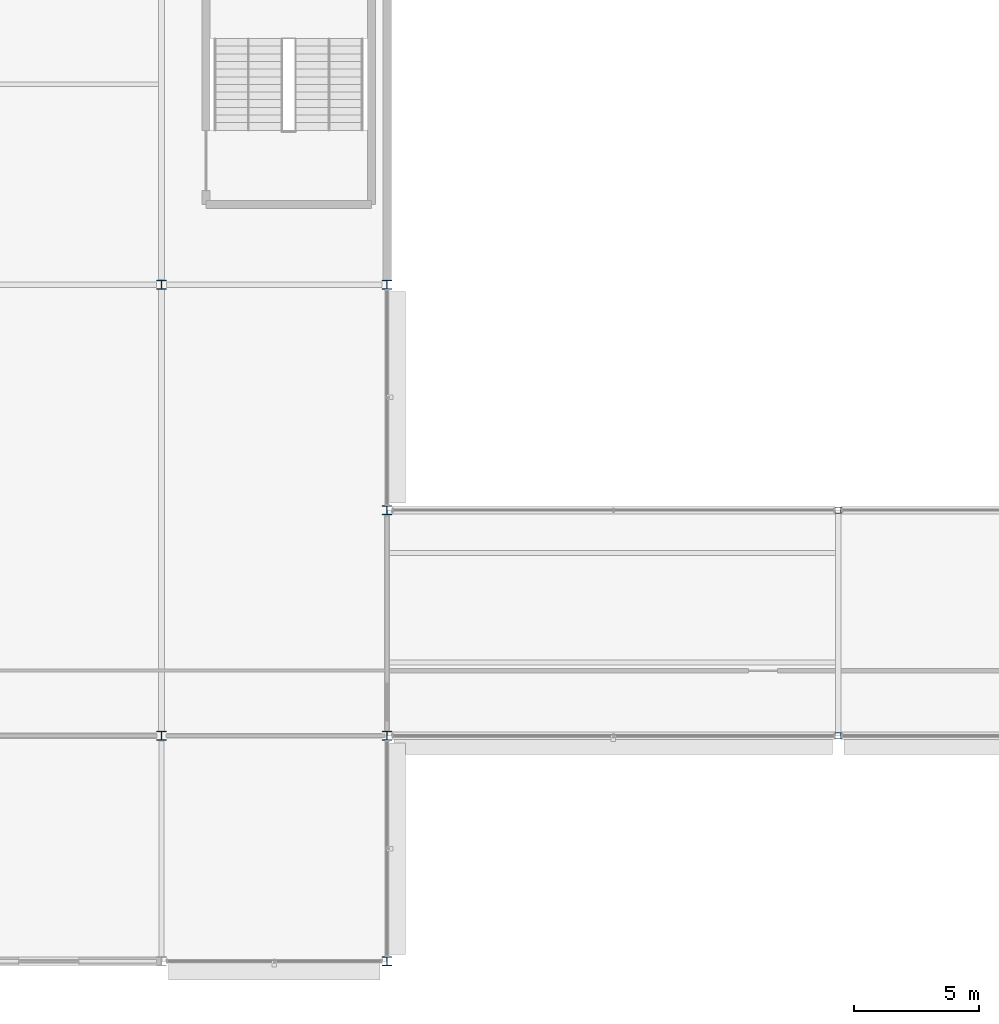
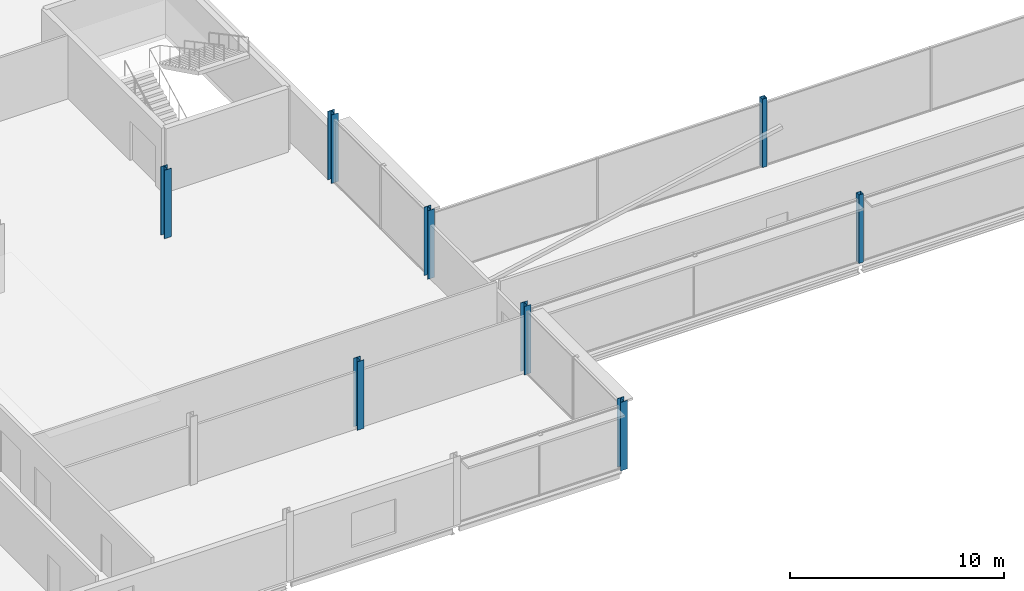
# One storey, part 2 of 98: 8 columns.
"""IFC4 building model written with IfcOpenShell, lengths in metres."""

from ifc_helpers import new_model, si_unit, direction, frame, origin, origin_2d, place, context, subcontext, project, spatial, hollow_rectangle, i_section, extrude, material, material_profile, profile_set, type_object, element, save


model = new_model("IFC4")

# Units and contexts
model_context = context("Model", 3, precision=1e-05, world=origin(), true_north=direction((0.0, 1.0)))
body_context = subcontext(model_context, "Body", "Model", "MODEL_VIEW")
ifc_project = project(units=[si_unit("LENGTHUNIT", "METRE"), si_unit("AREAUNIT", "SQUARE_METRE"), si_unit("VOLUMEUNIT", "CUBIC_METRE"), si_unit("PLANEANGLEUNIT", "RADIAN"), si_unit("MASSUNIT", "GRAM", prefix="KILO")], contexts=[model_context])

# Site, building, storey
site_placement = place(None, origin())
site = spatial("IfcSite", under=ifc_project, at=site_placement, CompositionType="ELEMENT")
building_placement = place(site_placement, origin())
building = spatial("IfcBuilding", under=site, at=building_placement, Name="Kisiwana Market Hall", CompositionType="ELEMENT")
storey_placement = place(building_placement, frame((0.0, 0.0, 29.39990234375)))
storey = spatial("IfcBuildingStorey", under=building, at=storey_placement, Name="L06", CompositionType="ELEMENT", Elevation=29.39990234375)

# Columns
ifc_material_1 = material(Name="Steel S355", Category="steel")
ifc_material_profile_1 = material_profile(ifc_material_1, hollow_rectangle(XDim=0.25, YDim=0.25, WallThickness=0.012451171875, at=origin_2d()), Name="SHS 250x250x12.5")
ifc_profile_set_1 = profile_set([ifc_material_profile_1], Name="Steel S355")
column_type_1 = type_object("IfcColumnType", Name="COL-STL-SHS250", PredefinedType="COLUMN", material=ifc_profile_set_1)
for number, where, z_axis, x_axis, name in (
    (1, (63.0, 18.0, 0.0), (0.0, 0.0, 1.0), (1.0, 0.0, 0.0), "Column C/8 (L06) C-1011"),
    (2, (63.0, 27.0, 0.0), (0.0, 0.0, 1.0), (1.0, 0.0, 0.0), "Column D/8 (L06) C-1012"),
):
    element("IfcColumn", number, at=place(storey_placement, frame(where, z_axis=z_axis, x_axis=x_axis)), inside=storey, type_object=column_type_1, Name=name, PredefinedType="COLUMN", context=body_context, shape_type="SweptSolid", body=[
        extrude(hollow_rectangle(XDim=0.25, YDim=0.25, WallThickness=0.012451171875, at=origin_2d()), origin(), (0.0, 0.0, 1.0), 3.900146484375),
    ])
ifc_material_2 = material(Name="Steel S355", Category="steel")
ifc_material_profile_2 = material_profile(ifc_material_2, i_section(OverallWidth=0.37060546875, OverallDepth=0.362060546875, WebThickness=0.01220703125, FlangeThickness=0.020751953125, at=origin_2d()), Name="UC 356x368x153")
ifc_profile_set_2 = profile_set([ifc_material_profile_2], Name="Steel S355")
column_type_2 = type_object("IfcColumnType", Name="COL-STL-UC153", PredefinedType="COLUMN", material=ifc_profile_set_2)
for number, where, z_axis, x_axis, name in (
    (3, (36.0, 18.0, 0.0), (0.0, 0.0, 1.0), (1.0, 0.0, 0.0), "Column C/5 (L06) C-0997"),
    (4, (36.0, 36.0, 0.0), (0.0, 0.0, 1.0), (1.0, 0.0, 0.0), "Column E/5 (L06) C-0998"),
    (5, (45.0, 9.0, 0.0), (0.0, 0.0, 1.0), (1.0, 0.0, 0.0), "Column B/6 (L06) C-1002"),
    (6, (45.0, 18.0, 0.0), (0.0, 0.0, 1.0), (1.0, 0.0, 0.0), "Column C/6 (L06) C-1003"),
    (7, (45.0, 27.0, 0.0), (0.0, 0.0, 1.0), (1.0, 0.0, 0.0), "Column D/6 (L06) C-1004"),
    (8, (45.0, 36.0, 0.0), (0.0, 0.0, 1.0), (1.0, 0.0, 0.0), "Column E/6 (L06) C-1005"),
):
    element("IfcColumn", number, at=place(storey_placement, frame(where, z_axis=z_axis, x_axis=x_axis)), inside=storey, type_object=column_type_2, Name=name, PredefinedType="COLUMN", context=body_context, shape_type="SweptSolid", body=[
        extrude(i_section(OverallWidth=0.37060546875, OverallDepth=0.362060546875, WebThickness=0.01220703125, FlangeThickness=0.020751953125, at=origin_2d()), origin(), (0.0, 0.0, 1.0), 3.900146484375),
    ])

save(model, "model.ifc")
